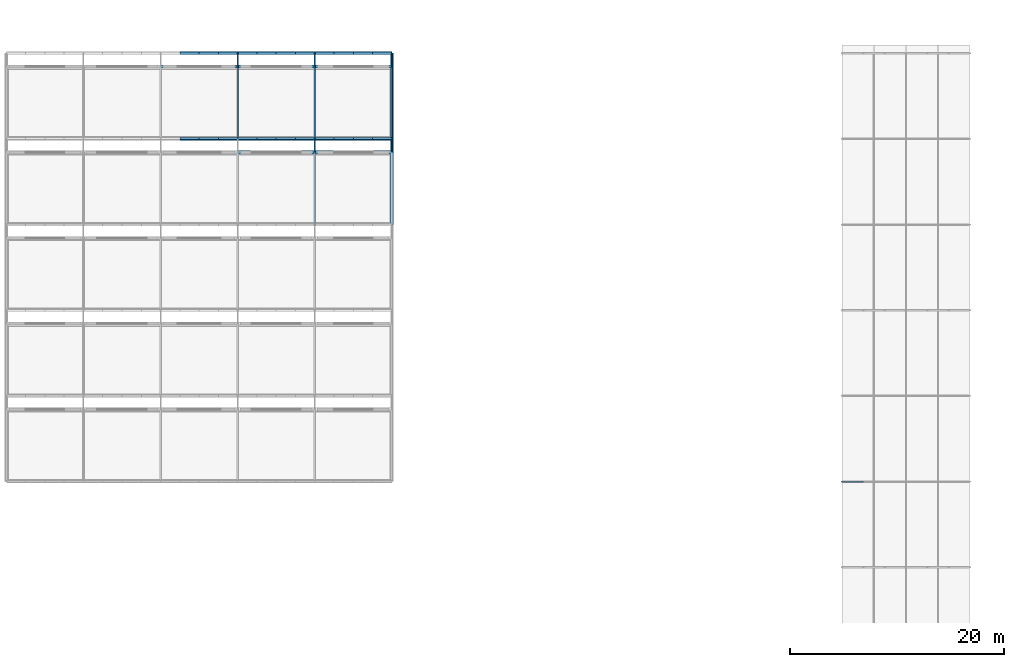
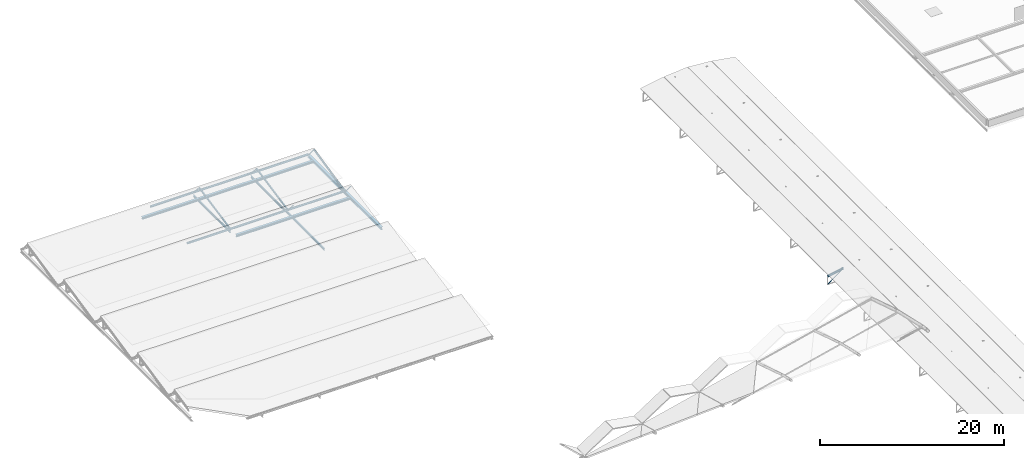
# One storey, part 34 of 54: 32 members, 10 beams.
"""IFC4 building model written with IfcOpenShell, lengths in metres."""

from ifc_helpers import new_model, si_unit, derived_unit, direction, frame, origin, origin_2d, place, context, subcontext, project, spatial, hollow_rectangle, hollow_circle, i_section, extrude, material, material_profile, profile_set, type_object, element, save


model = new_model("IFC4")

# Units and contexts
model_context = context("Model", 3, precision=1e-05, world=origin(), true_north=direction((0.0, 1.0)))
body_context = subcontext(model_context, "Body", "Model", "MODEL_VIEW")
ifc_project = project(units=[si_unit("LENGTHUNIT", "METRE"), si_unit("AREAUNIT", "SQUARE_METRE"), si_unit("VOLUMEUNIT", "CUBIC_METRE"), si_unit("PLANEANGLEUNIT", "RADIAN"), si_unit("MASSUNIT", "GRAM", prefix="KILO"), derived_unit("THERMALTRANSMITTANCEUNIT", [(si_unit("POWERUNIT", "WATT"), 1), (si_unit("LENGTHUNIT", "METRE"), -2), (si_unit("THERMODYNAMICTEMPERATUREUNIT", "KELVIN"), -1)])], contexts=[model_context])

# Site, building, storey
site_placement = place(None, origin())
site = spatial("IfcSite", under=ifc_project, at=site_placement, CompositionType="ELEMENT")
building_placement = place(site_placement, origin())
building = spatial("IfcBuilding", under=site, at=building_placement, Name="Keldorne Ridge Multi-Sports Centre", CompositionType="ELEMENT")
storey_placement = place(building_placement, frame((0.0, 0.0, 22.199951171875)))
storey = spatial("IfcBuildingStorey", under=building, at=storey_placement, Name="ROOF", CompositionType="ELEMENT", Elevation=22.199951171875)

# Beams
ifc_material = material(Name="Steel S355", Category="steel")
ifc_material_profile_1 = material_profile(ifc_material, i_section(OverallWidth=0.135009765625, OverallDepth=0.27001953125, WebThickness=0.006591796875, FlangeThickness=0.01025390625, FilletRadius=0.014892578125, at=origin_2d()), Name="IPE 270")
ifc_profile_set_1 = profile_set([ifc_material_profile_1], Name="Steel S355")
beam_type_1 = type_object("IfcBeamType", Name="BM-J-03", PredefinedType="JOIST", material=ifc_profile_set_1)
for number, where, z_axis, x_axis, name in (
    (1, (34.800048828125, 98.0, -6.429931640625), (0.0, 1.0, 0.0), (-1.0, 0.0, 0.0), "Sawtooth bay tie beam 4.5"),
    (2, (27.60009765625, 106.0, -6.429931640625), (0.0, 1.0, 0.0), (-1.0, 0.0, 0.0), "Sawtooth bay tie beam 5.4"),
    (3, (34.800048828125, 106.0, -6.429931640625), (0.0, 1.0, 0.0), (-1.0, 0.0, 0.0), "Sawtooth bay tie beam 5.5"),
):
    element("IfcBeam", number, at=place(storey_placement, frame(where, z_axis=z_axis, x_axis=x_axis)), inside=storey, type_object=beam_type_1, Name=name, PredefinedType="JOIST", context=body_context, shape_type="SweptSolid", body=[
        extrude(i_section(OverallWidth=0.135009765625, OverallDepth=0.27001953125, WebThickness=0.006591796875, FlangeThickness=0.01025390625, FilletRadius=0.014892578125, at=origin_2d()), origin(), (0.0, 0.0, 1.0), 8.0),
    ])
ifc_material_profile_2 = material_profile(ifc_material, i_section(OverallWidth=0.300048828125, OverallDepth=0.35009765625, WebThickness=0.010009765625, FlangeThickness=0.017578125, FilletRadius=0.027099609375, at=origin_2d()), Name="HEA 360")
ifc_profile_set_2 = profile_set([ifc_material_profile_2], Name="Steel S355")
beam_type_2 = type_object("IfcBeamType", Name="BM-SP-03", PredefinedType="SPANDREL", material=ifc_profile_set_2)
for number, where, z_axis, x_axis, name in (
    (4, (42.0, 98.0, -6.14990234375), (0.0, 1.0, 0.0), (-1.0, 0.0, 0.0), "Climbing roof edge beam 42.4"),
    (5, (42.0, 106.0, -6.14990234375), (0.0, 1.0, 0.0), (-1.0, 0.0, 0.0), "Climbing roof edge beam 42.5"),
):
    element("IfcBeam", number, at=place(storey_placement, frame(where, z_axis=z_axis, x_axis=x_axis)), inside=storey, type_object=beam_type_2, Name=name, PredefinedType="SPANDREL", context=body_context, shape_type="SweptSolid", body=[
        extrude(i_section(OverallWidth=0.300048828125, OverallDepth=0.35009765625, WebThickness=0.010009765625, FlangeThickness=0.017578125, FilletRadius=0.027099609375, at=origin_2d()), origin(), (0.0, 0.0, 1.0), 8.0),
    ])
ifc_material_profile_3 = material_profile(ifc_material, i_section(OverallWidth=0.300048828125, OverallDepth=0.2900390625, WebThickness=0.008544921875, FlangeThickness=0.013916015625, FilletRadius=0.027099609375, at=origin_2d()), Name="HEA 300")
ifc_profile_set_3 = profile_set([ifc_material_profile_3], Name="Steel S355")
beam_type_3 = type_object("IfcBeamType", Name="BM-SP-04", PredefinedType="SPANDREL", material=ifc_profile_set_3)
for number, where, z_axis, x_axis, name in (
    (6, (27.60009765625, 104.75, -6.14990234375), (1.0, 0.0, 0.0), (0.0, 1.0, 0.0), "Sawtooth monitor sill beam 4.4"),
    (7, (34.800048828125, 104.75, -6.14990234375), (1.0, 0.0, 0.0), (0.0, 1.0, 0.0), "Sawtooth monitor sill beam 4.5"),
):
    element("IfcBeam", number, at=place(storey_placement, frame(where, z_axis=z_axis, x_axis=x_axis)), inside=storey, type_object=beam_type_3, Name=name, PredefinedType="SPANDREL", context=body_context, shape_type="SweptSolid", body=[
        extrude(i_section(OverallWidth=0.300048828125, OverallDepth=0.2900390625, WebThickness=0.008544921875, FlangeThickness=0.013916015625, FilletRadius=0.027099609375, at=origin_2d()), origin(), (0.0, 0.0, 1.0), 7.199951171875),
    ])
beam_placement = place(storey_placement, frame((20.39990234375, 112.75, -6.14990234375), z_axis=(1.0, 0.0, 0.0), x_axis=(0.0, 1.0, 0.0)))
element("IfcBeam", 8, at=beam_placement, inside=storey, type_object=beam_type_3, Name="Sawtooth monitor sill beam 5.3", PredefinedType="SPANDREL", context=body_context, shape_type="SweptSolid", body=[
    extrude(i_section(OverallWidth=0.300048828125, OverallDepth=0.2900390625, WebThickness=0.008544921875, FlangeThickness=0.013916015625, FilletRadius=0.027099609375, at=origin_2d()), origin(), (0.0, 0.0, 1.0), 7.2001953125),
])
for number, where, z_axis, x_axis, name in (
    (9, (27.60009765625, 112.75, -6.14990234375), (1.0, 0.0, 0.0), (0.0, 1.0, 0.0), "Sawtooth monitor sill beam 5.4"),
    (10, (34.800048828125, 112.75, -6.14990234375), (1.0, 0.0, 0.0), (0.0, 1.0, 0.0), "Sawtooth monitor sill beam 5.5"),
):
    element("IfcBeam", number, at=place(storey_placement, frame(where, z_axis=z_axis, x_axis=x_axis)), inside=storey, type_object=beam_type_3, Name=name, PredefinedType="SPANDREL", context=body_context, shape_type="SweptSolid", body=[
        extrude(i_section(OverallWidth=0.300048828125, OverallDepth=0.2900390625, WebThickness=0.008544921875, FlangeThickness=0.013916015625, FilletRadius=0.027099609375, at=origin_2d()), origin(), (0.0, 0.0, 1.0), 7.199951171875),
    ])

# Members
ifc_material_profile_4 = material_profile(ifc_material, hollow_rectangle(XDim=0.14990234375, YDim=0.199951171875, WallThickness=0.010009765625, InnerFilletRadius=0.010009765625, OuterFilletRadius=0.02001953125, at=origin_2d()), Name="RHS 200x150x10")
ifc_profile_set_4 = profile_set([ifc_material_profile_4], Name="Steel S355")
member_type_1 = type_object("IfcMemberType", Name="MEM-RF-01", PredefinedType="RAFTER", material=ifc_profile_set_4)
for number, where, z_axis, x_axis, name in (
    (11, (27.60009765625, 106.0, -6.02001953125), (0.0, 0.980014968918, 0.198923755988), (-1.0, 0.0, 0.0), "Sawtooth raked rafter 5.4"),
    (12, (34.800048828125, 106.0, -6.02001953125), (0.0, 0.980014968918, 0.198923755988), (-1.0, 0.0, 0.0), "Sawtooth raked rafter 5.5"),
):
    element("IfcMember", number, at=place(storey_placement, frame(where, z_axis=z_axis, x_axis=x_axis)), inside=storey, type_object=member_type_1, Name=name, PredefinedType="RAFTER", context=body_context, shape_type="SweptSolid", body=[
        extrude(hollow_rectangle(XDim=0.14990234375, YDim=0.199951171875, WallThickness=0.010009765625, InnerFilletRadius=0.010009765625, OuterFilletRadius=0.02001953125, at=origin_2d()), origin(), (0.0, 0.0, 1.0), 6.8876953125),
    ])
member_1_placement = place(storey_placement, frame((42.0, 106.0, -6.14990234375), z_axis=(0.0, 0.976187060184, 0.216930457819), x_axis=(-1.0, 0.0, 0.0)))
element("IfcMember", 13, at=member_1_placement, inside=storey, type_object=member_type_1, Name="Sawtooth raked rafter 5.6", PredefinedType="RAFTER", context=body_context, shape_type="SweptSolid", body=[
    extrude(hollow_rectangle(XDim=0.14990234375, YDim=0.199951171875, WallThickness=0.010009765625, InnerFilletRadius=0.010009765625, OuterFilletRadius=0.02001953125, at=origin_2d()), origin(), (0.0, 0.0, 1.0), 6.91455078125),
])
ifc_material_profile_5 = material_profile(ifc_material, i_section(OverallWidth=0.135009765625, OverallDepth=0.27001953125, WebThickness=0.006591796875, FlangeThickness=0.01025390625, FilletRadius=0.014892578125, at=origin_2d()), Name="IPE 270")
ifc_profile_set_5 = profile_set([ifc_material_profile_5], Name="Steel S355")
member_type_2 = type_object("IfcMemberType", Name="MEM-RF-02", PredefinedType="RAFTER", material=ifc_profile_set_5)
member_2_placement = place(storey_placement, frame((84.0, 74.0, -12.639892578125), z_axis=(0.982435006317, 0.0, 0.186605086649), x_axis=(0.0, 1.0, 0.0)))
element("IfcMember", 14, at=member_2_placement, inside=storey, type_object=member_type_2, Name="Public Passage bowstring arch top chord 09.1", PredefinedType="RAFTER", context=body_context, shape_type="SweptSolid", body=[
    extrude(i_section(OverallWidth=0.135009765625, OverallDepth=0.27001953125, WebThickness=0.006591796875, FlangeThickness=0.01025390625, FilletRadius=0.014892578125, at=origin_2d()), origin(), (0.0, 0.0, 1.0), 2.03564453125),
])
ifc_material_profile_6 = material_profile(ifc_material, hollow_circle(Radius=0.136474609375, WallThickness=0.012451171875, at=origin_2d()), Name="CHS 273x12.5")
ifc_profile_set_6 = profile_set([ifc_material_profile_6], Name="Steel S355")
member_type_3 = type_object("IfcMemberType", Name="MEM-TC-05", PredefinedType="CHORD", material=ifc_profile_set_6)
for number, where, z_axis, x_axis, name in (
    (15, (22.199951171875, 106.0, -6.02001953125), (1.0, 0.0, 0.0), (0.0, 1.0, 0.0), "Climbing sawtooth ROOF TRUSS ST-05 top chord 10"),
    (16, (24.0, 106.0, -6.02001953125), (1.0, 0.0, 0.0), (0.0, 1.0, 0.0), "Climbing sawtooth ROOF TRUSS ST-05 top chord 11"),
    (17, (25.800048828125, 106.0, -6.02001953125), (1.0, 0.0, 0.0), (0.0, 1.0, 0.0), "Climbing sawtooth ROOF TRUSS ST-05 top chord 12"),
):
    element("IfcMember", number, at=place(storey_placement, frame(where, z_axis=z_axis, x_axis=x_axis)), inside=storey, type_object=member_type_3, Name=name, PredefinedType="CHORD", context=body_context, shape_type="SweptSolid", body=[
        extrude(hollow_circle(Radius=0.136474609375, WallThickness=0.012451171875, at=origin_2d()), origin(), (0.0, 0.0, 1.0), 1.800048828125),
    ])
member_3_placement = place(storey_placement, frame((27.60009765625, 106.0, -6.02001953125), z_axis=(1.0, 0.0, 0.0), x_axis=(0.0, 1.0, 0.0)))
element("IfcMember", 18, at=member_3_placement, inside=storey, type_object=member_type_3, Name="Climbing sawtooth ROOF TRUSS ST-05 top chord 13", PredefinedType="CHORD", context=body_context, shape_type="SweptSolid", body=[
    extrude(hollow_circle(Radius=0.136474609375, WallThickness=0.012451171875, at=origin_2d()), origin(), (0.0, 0.0, 1.0), 1.7998046875),
])
for number, where, z_axis, x_axis, name in (
    (19, (29.39990234375, 106.0, -6.02001953125), (1.0, 0.0, 0.0), (0.0, 1.0, 0.0), "Climbing sawtooth ROOF TRUSS ST-05 top chord 14"),
    (20, (31.199951171875, 106.0, -6.02001953125), (1.0, 0.0, 0.0), (0.0, 1.0, 0.0), "Climbing sawtooth ROOF TRUSS ST-05 top chord 15"),
    (21, (33.0, 106.0, -6.02001953125), (1.0, 0.0, 0.0), (0.0, 1.0, 0.0), "Climbing sawtooth ROOF TRUSS ST-05 top chord 16"),
    (22, (34.800048828125, 106.0, -6.02001953125), (1.0, 0.0, 0.0), (0.0, 1.0, 0.0), "Climbing sawtooth ROOF TRUSS ST-05 top chord 17"),
):
    element("IfcMember", number, at=place(storey_placement, frame(where, z_axis=z_axis, x_axis=x_axis)), inside=storey, type_object=member_type_3, Name=name, PredefinedType="CHORD", context=body_context, shape_type="SweptSolid", body=[
        extrude(hollow_circle(Radius=0.136474609375, WallThickness=0.012451171875, at=origin_2d()), origin(), (0.0, 0.0, 1.0), 1.800048828125),
    ])
member_4_placement = place(storey_placement, frame((36.60009765625, 106.0, -6.02001953125), z_axis=(1.0, 0.0, 0.0), x_axis=(0.0, 1.0, 0.0)))
element("IfcMember", 23, at=member_4_placement, inside=storey, type_object=member_type_3, Name="Climbing sawtooth ROOF TRUSS ST-05 top chord 18", PredefinedType="CHORD", context=body_context, shape_type="SweptSolid", body=[
    extrude(hollow_circle(Radius=0.136474609375, WallThickness=0.012451171875, at=origin_2d()), origin(), (0.0, 0.0, 1.0), 1.7998046875),
])
for number, where, z_axis, x_axis, name in (
    (24, (38.39990234375, 106.0, -6.02001953125), (1.0, 0.0, 0.0), (0.0, 1.0, 0.0), "Climbing sawtooth ROOF TRUSS ST-05 top chord 19"),
    (25, (40.199951171875, 106.0, -6.02001953125), (1.0, 0.0, 0.0), (0.0, 1.0, 0.0), "Climbing sawtooth ROOF TRUSS ST-05 top chord 20"),
    (26, (22.199951171875, 114.0, -6.02001953125), (1.0, 0.0, 0.0), (0.0, 1.0, 0.0), "Climbing sawtooth ROOF TRUSS ST-06 top chord 10"),
    (27, (24.0, 114.0, -6.02001953125), (1.0, 0.0, 0.0), (0.0, 1.0, 0.0), "Climbing sawtooth ROOF TRUSS ST-06 top chord 11"),
    (28, (25.800048828125, 114.0, -6.02001953125), (1.0, 0.0, 0.0), (0.0, 1.0, 0.0), "Climbing sawtooth ROOF TRUSS ST-06 top chord 12"),
):
    element("IfcMember", number, at=place(storey_placement, frame(where, z_axis=z_axis, x_axis=x_axis)), inside=storey, type_object=member_type_3, Name=name, PredefinedType="CHORD", context=body_context, shape_type="SweptSolid", body=[
        extrude(hollow_circle(Radius=0.136474609375, WallThickness=0.012451171875, at=origin_2d()), origin(), (0.0, 0.0, 1.0), 1.800048828125),
    ])
member_5_placement = place(storey_placement, frame((27.60009765625, 114.0, -6.02001953125), z_axis=(1.0, 0.0, 0.0), x_axis=(0.0, 1.0, 0.0)))
element("IfcMember", 29, at=member_5_placement, inside=storey, type_object=member_type_3, Name="Climbing sawtooth ROOF TRUSS ST-06 top chord 13", PredefinedType="CHORD", context=body_context, shape_type="SweptSolid", body=[
    extrude(hollow_circle(Radius=0.136474609375, WallThickness=0.012451171875, at=origin_2d()), origin(), (0.0, 0.0, 1.0), 1.7998046875),
])
for number, where, z_axis, x_axis, name in (
    (30, (29.39990234375, 114.0, -6.02001953125), (1.0, 0.0, 0.0), (0.0, 1.0, 0.0), "Climbing sawtooth ROOF TRUSS ST-06 top chord 14"),
    (31, (31.199951171875, 114.0, -6.02001953125), (1.0, 0.0, 0.0), (0.0, 1.0, 0.0), "Climbing sawtooth ROOF TRUSS ST-06 top chord 15"),
    (32, (33.0, 114.0, -6.02001953125), (1.0, 0.0, 0.0), (0.0, 1.0, 0.0), "Climbing sawtooth ROOF TRUSS ST-06 top chord 16"),
    (33, (34.800048828125, 114.0, -6.02001953125), (1.0, 0.0, 0.0), (0.0, 1.0, 0.0), "Climbing sawtooth ROOF TRUSS ST-06 top chord 17"),
):
    element("IfcMember", number, at=place(storey_placement, frame(where, z_axis=z_axis, x_axis=x_axis)), inside=storey, type_object=member_type_3, Name=name, PredefinedType="CHORD", context=body_context, shape_type="SweptSolid", body=[
        extrude(hollow_circle(Radius=0.136474609375, WallThickness=0.012451171875, at=origin_2d()), origin(), (0.0, 0.0, 1.0), 1.800048828125),
    ])
member_6_placement = place(storey_placement, frame((36.60009765625, 114.0, -6.02001953125), z_axis=(1.0, 0.0, 0.0), x_axis=(0.0, 1.0, 0.0)))
element("IfcMember", 34, at=member_6_placement, inside=storey, type_object=member_type_3, Name="Climbing sawtooth ROOF TRUSS ST-06 top chord 18", PredefinedType="CHORD", context=body_context, shape_type="SweptSolid", body=[
    extrude(hollow_circle(Radius=0.136474609375, WallThickness=0.012451171875, at=origin_2d()), origin(), (0.0, 0.0, 1.0), 1.7998046875),
])
for number, where, z_axis, x_axis, name in (
    (35, (38.39990234375, 114.0, -6.02001953125), (1.0, 0.0, 0.0), (0.0, 1.0, 0.0), "Climbing sawtooth ROOF TRUSS ST-06 top chord 19"),
    (36, (40.199951171875, 114.0, -6.02001953125), (1.0, 0.0, 0.0), (0.0, 1.0, 0.0), "Climbing sawtooth ROOF TRUSS ST-06 top chord 20"),
):
    element("IfcMember", number, at=place(storey_placement, frame(where, z_axis=z_axis, x_axis=x_axis)), inside=storey, type_object=member_type_3, Name=name, PredefinedType="CHORD", context=body_context, shape_type="SweptSolid", body=[
        extrude(hollow_circle(Radius=0.136474609375, WallThickness=0.012451171875, at=origin_2d()), origin(), (0.0, 0.0, 1.0), 1.800048828125),
    ])
ifc_material_profile_7 = material_profile(ifc_material, hollow_circle(Radius=0.05078125, WallThickness=0.00634765625, at=origin_2d()), Name="CHS 101.6x6.3")
ifc_profile_set_7 = profile_set([ifc_material_profile_7], Name="Steel S355")
member_type_4 = type_object("IfcMemberType", Name="MEM-TD-05", PredefinedType="BRACE", material=ifc_profile_set_7)
member_7_placement = place(storey_placement, frame((84.0, 74.0, -13.719970703125), z_axis=(0.8076945033, 0.0, 0.589601212125), x_axis=(0.0, 1.0, 0.0)))
element("IfcMember", 37, at=member_7_placement, inside=storey, type_object=member_type_4, Name="Public Passage bowstring web diagonal 09.1", PredefinedType="BRACE", context=body_context, shape_type="SweptSolid", body=[
    extrude(hollow_circle(Radius=0.05078125, WallThickness=0.00634765625, at=origin_2d()), origin(), (0.0, 0.0, 1.0), 2.47607421875),
])
ifc_material_profile_8 = material_profile(ifc_material, hollow_circle(Radius=0.05712890625, WallThickness=0.00634765625, at=origin_2d()), Name="CHS 114.3x6.3")
ifc_profile_set_8 = profile_set([ifc_material_profile_8], Name="Steel S355")
member_type_5 = type_object("IfcMemberType", Name="MEM-TV-03", PredefinedType="STRUT", material=ifc_profile_set_8)
member_8_placement = place(storey_placement, frame((34.800048828125, 104.75, -4.64990234375), z_axis=(0.0, 0.67398215409, -0.738747626709), x_axis=(-1.0, 0.0, 0.0)))
element("IfcMember", 38, at=member_8_placement, inside=storey, type_object=member_type_5, Name="Sawtooth monitor strut 4.5", PredefinedType="STRUT", context=body_context, shape_type="SweptSolid", body=[
    extrude(hollow_circle(Radius=0.05712890625, WallThickness=0.00634765625, at=origin_2d()), origin(), (0.0, 0.0, 1.0), 1.854736328125),
])
member_9_placement = place(storey_placement, frame((42.0, 104.75, -4.64990234375), z_axis=(0.0, 0.640184399664, -0.768221279597), x_axis=(-1.0, 0.0, 0.0)))
element("IfcMember", 39, at=member_9_placement, inside=storey, type_object=member_type_5, Name="Sawtooth monitor strut 4.6", PredefinedType="STRUT", context=body_context, shape_type="SweptSolid", body=[
    extrude(hollow_circle(Radius=0.05712890625, WallThickness=0.00634765625, at=origin_2d()), origin(), (0.0, 0.0, 1.0), 1.95263671875),
])
for number, where, z_axis, x_axis, name in (
    (40, (27.60009765625, 112.75, -4.64990234375), (0.0, 0.67398215409, -0.738747626709), (-1.0, 0.0, 0.0), "Sawtooth monitor strut 5.4"),
    (41, (34.800048828125, 112.75, -4.64990234375), (0.0, 0.67398215409, -0.738747626709), (-1.0, 0.0, 0.0), "Sawtooth monitor strut 5.5"),
):
    element("IfcMember", number, at=place(storey_placement, frame(where, z_axis=z_axis, x_axis=x_axis)), inside=storey, type_object=member_type_5, Name=name, PredefinedType="STRUT", context=body_context, shape_type="SweptSolid", body=[
        extrude(hollow_circle(Radius=0.05712890625, WallThickness=0.00634765625, at=origin_2d()), origin(), (0.0, 0.0, 1.0), 1.854736328125),
    ])
member_10_placement = place(storey_placement, frame((42.0, 112.75, -4.64990234375), z_axis=(0.0, 0.640184399664, -0.768221279597), x_axis=(-1.0, 0.0, 0.0)))
element("IfcMember", 42, at=member_10_placement, inside=storey, type_object=member_type_5, Name="Sawtooth monitor strut 5.6", PredefinedType="STRUT", context=body_context, shape_type="SweptSolid", body=[
    extrude(hollow_circle(Radius=0.05712890625, WallThickness=0.00634765625, at=origin_2d()), origin(), (0.0, 0.0, 1.0), 1.95263671875),
])

save(model, "model.ifc")
